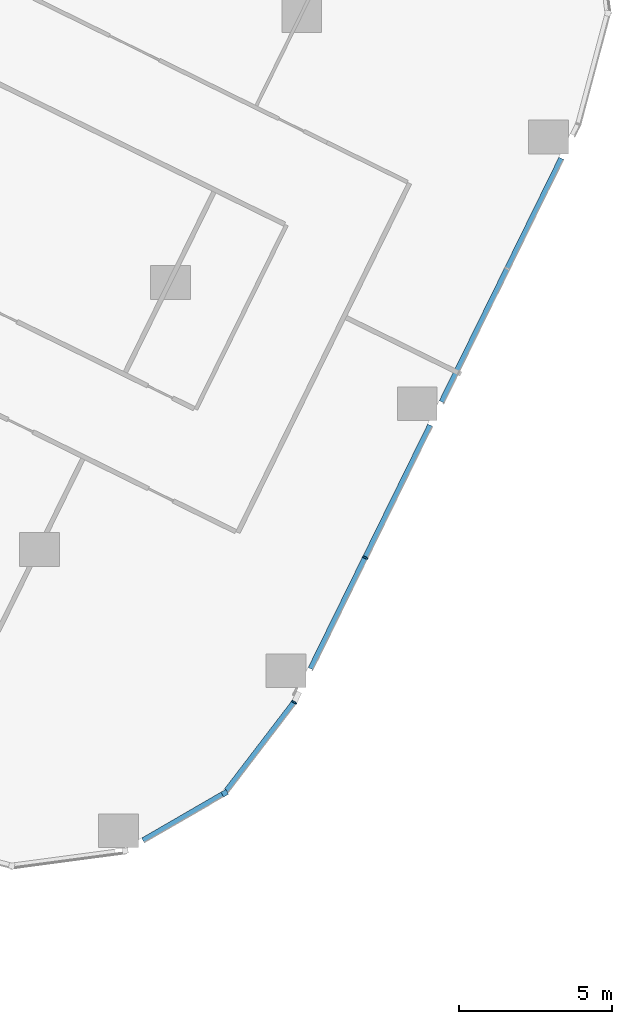
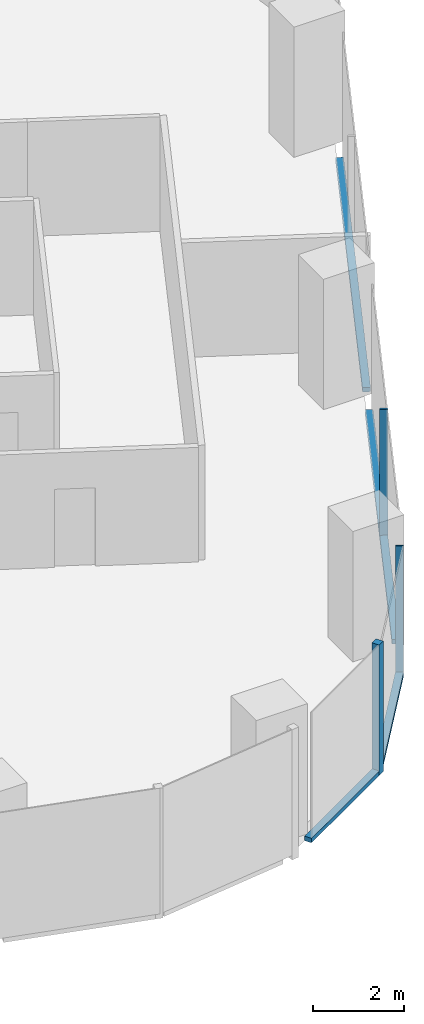
# One storey, part 10 of 38: 7 members, 3 elements without a shape of their own.
"""IFC4 building model written with IfcOpenShell, lengths in metres."""

import ifcopenshell
import ifcopenshell.guid

model = None  # the IFC model being written
_history = None  # IfcOwnerHistory: only IFC2X3 demands one
_inside = {}  # id of a spatial element -> (the spatial element, [elements in it])
_under = {}  # id of a project, library or spatial element -> (it, [spatial elements below it])
_declared = {}  # id of a project -> (the project, [libraries it declares])
_typed = {}  # id of a type object -> (the type object, [elements of that type])
_made_of = {}  # id of a material, layer set ... -> (it, [elements and type objects made of it])


def new_model(schema):
    """Start an empty IFC model of exactly this schema.

    Asked for "IFC4X3", IfcOpenShell would pick the latest addendum, in which some entities
    have other attributes; the version numbers below select the first issue.
    IFC2X3 requires an IfcOwnerHistory on every rooted entity: one is made here for all.
    """
    global model, _history
    if schema == "IFC4X3":
        model = ifcopenshell.file(schema_version=(4, 3, 0, 0))
    else:
        model = ifcopenshell.file(schema=schema)
    _inside.clear()
    _under.clear()
    _declared.clear()
    _typed.clear()
    _made_of.clear()
    _history = None
    if model.schema == "IFC2X3":
        org = make("IfcOrganization", Name="unknown")
        user = make(
            "IfcPersonAndOrganization",
            ThePerson=make("IfcPerson", FamilyName="unknown"),
            TheOrganization=org,
        )
        app = make(
            "IfcApplication",
            ApplicationDeveloper=org,
            Version="unknown",
            ApplicationFullName="unknown",
            ApplicationIdentifier="unknown",
        )
        _history = make(
            "IfcOwnerHistory",
            OwningUser=user,
            OwningApplication=app,
            ChangeAction="ADDED",
            CreationDate=0,
        )
    return model


def make(cls, **values):
    """One entity of the class cls with the attributes given. An attribute that is None is left unset."""
    return model.create_entity(
        cls, **{name: value for name, value in values.items() if value is not None}
    )


def rooted(cls, **values):
    """An entity with a GlobalId (a new one), such as an element, a storey or a relation."""
    return make(cls, GlobalId=ifcopenshell.guid.new(), OwnerHistory=_history, **values)


def si_unit(unit_type, name, prefix=None):
    """IfcSIUnit, for example si_unit("LENGTHUNIT", "METRE", prefix="MILLI")."""
    return make("IfcSIUnit", UnitType=unit_type, Prefix=prefix, Name=name)


def assignment(units):
    """IfcUnitAssignment: the units of a project."""
    return None if units is None else make("IfcUnitAssignment", Units=units)


def point(xyz):
    """IfcCartesianPoint."""
    return None if xyz is None else make("IfcCartesianPoint", Coordinates=xyz)


def direction(xyz):
    """IfcDirection."""
    return None if xyz is None else make("IfcDirection", DirectionRatios=xyz)


def frame(location, z_axis=None, x_axis=None):
    """IfcAxis2Placement3D, a coordinate frame: its origin and axes. An axis left out is left unset."""
    return make(
        "IfcAxis2Placement3D",
        Location=point(location),
        Axis=direction(z_axis),
        RefDirection=direction(x_axis),
    )


def frame_2d(location, x_axis=None):
    """IfcAxis2Placement2D, a coordinate frame in the plane: its origin and x axis."""
    return make(
        "IfcAxis2Placement2D", Location=point(location), RefDirection=direction(x_axis)
    )


def origin():
    """The frame at (0, 0, 0) with its axes left unset."""
    return frame((0.0, 0.0, 0.0))


def origin_2d():
    """The frame at (0, 0) in the plane with its x axis left unset."""
    return frame_2d((0.0, 0.0))


def place(relative_to, where):
    """IfcLocalPlacement: puts the frame where relative to a parent placement (None: the world)."""
    return make(
        "IfcLocalPlacement", PlacementRelTo=relative_to, RelativePlacement=where
    )


def context(
    kind, dimensions, precision=None, world=None, true_north=None, identifier=None
):
    """IfcGeometricRepresentationContext, for example the 3D "Model" context."""
    return make(
        "IfcGeometricRepresentationContext",
        ContextIdentifier=identifier,
        ContextType=kind,
        CoordinateSpaceDimension=dimensions,
        Precision=precision,
        WorldCoordinateSystem=world,
        TrueNorth=true_north,
    )


def subcontext(parent, identifier, kind, view, scale=None):
    """IfcGeometricRepresentationSubContext, for example "Body" below "Model"."""
    return make(
        "IfcGeometricRepresentationSubContext",
        ContextIdentifier=identifier,
        ContextType=kind,
        ParentContext=parent,
        TargetScale=scale,
        TargetView=view,
    )


def project(units=None, contexts=None):
    """IfcProject with its units and contexts."""
    return rooted(
        "IfcProject",
        Name="project",
        RepresentationContexts=contexts,
        UnitsInContext=assignment(units),
    )


def spatial(cls, under=None, at=None, **own):
    """A site, building, storey or space (cls), placed at a placement, below another one or the project."""
    s = rooted(cls, ObjectPlacement=at, **own)
    if under is not None:
        _under.setdefault(under.id(), (under, []))[1].append(s)
    return s


def profile(cls, at=None, kind="AREA", **sizes):
    """A parametric profile (cls). Its sizes go by their IFC names, for example OverallWidth=200.0."""
    return make(cls, ProfileType=kind, Position=at, **sizes)


def rectangle(**sizes):
    """IfcRectangleProfileDef."""
    return profile("IfcRectangleProfileDef", **sizes)


def extrude(swept, where, along, depth):
    """IfcExtrudedAreaSolid: the profile swept, set in the frame where, extruded along a direction by depth."""
    return make(
        "IfcExtrudedAreaSolid",
        SweptArea=swept,
        Position=where,
        ExtrudedDirection=direction(along),
        Depth=depth,
    )


def shape(context_of_items, identifier, shape_type, items):
    """IfcShapeRepresentation: the items that make up one representation, for example the "Body"."""
    return make(
        "IfcShapeRepresentation",
        ContextOfItems=context_of_items,
        RepresentationIdentifier=identifier,
        RepresentationType=shape_type,
        Items=items,
    )


def material(Name=None, Category=None):
    """IfcMaterial."""
    return make("IfcMaterial", Name=Name, Category=Category)


def material_profile(
    of_material, cross_section, Name=None, Category=None, Priority=None
):
    """IfcMaterialProfile: a cross section and its material."""
    return make(
        "IfcMaterialProfile",
        Name=Name,
        Material=of_material,
        Profile=cross_section,
        Priority=Priority,
        Category=Category,
    )


def profile_set(profiles, Name=None, composite=None):
    """IfcMaterialProfileSet."""
    return make(
        "IfcMaterialProfileSet",
        Name=Name,
        MaterialProfiles=profiles,
        CompositeProfile=composite,
    )


def made_of(thing, what):
    """Note that an element or type object is made of a material, layer set ...; save() writes the relation."""
    if what is not None:
        _made_of.setdefault(what.id(), (what, []))[1].append(thing)
    return thing


def type_object(cls, material=None, **own):
    """A type object (cls), such as IfcWallType, which elements share."""
    return made_of(rooted(cls, **own), material)


def element(
    cls,
    number,
    at=None,
    inside=None,
    cuts=None,
    type_object=None,
    material=None,
    context=None,
    identifier="Body",
    shape_type=None,
    held_by="IfcProductDefinitionShape",
    body=None,
    shapes=None,
    **own,
):
    """One element of the class cls, such as IfcWall. Its Tag is "e" and its number.

    at: its placement. inside: the storey or other place that contains it. cuts: it is an
    opening in that element (IfcRelVoidsElement). A single representation is given by context,
    identifier, shape_type and body (its items); several are given by shapes. held_by: the class
    of the entity that holds the representations. save() writes the other relations.
    """
    e = rooted(cls, Tag="e%d" % number, ObjectPlacement=at, **own)
    if body is not None:
        shapes = [shape(context, identifier, shape_type, body)]
    if shapes is not None:
        e.Representation = make(held_by, Representations=shapes)
    if inside is not None:
        _inside.setdefault(inside.id(), (inside, []))[1].append(e)
    if cuts is not None:
        rooted(
            "IfcRelVoidsElement", RelatingBuildingElement=cuts, RelatedOpeningElement=e
        )
    if type_object is not None:
        _typed.setdefault(type_object.id(), (type_object, []))[1].append(e)
    return made_of(e, material)


def aggregate(whole, parts):
    """IfcRelAggregates: a whole, such as a stair, and the parts it consists of."""
    return rooted("IfcRelAggregates", RelatingObject=whole, RelatedObjects=parts)


def save(model, path):
    """Write the relations noted so far, then the file.

    IfcRelAggregates (storeys below a building ...), IfcRelContainedInSpatialStructure (elements
    in a storey), IfcRelDefinesByType, IfcRelAssociatesMaterial and IfcRelDeclares: one each for
    every whole, place, type object, material and project.
    """
    for whole, parts in _under.values():
        aggregate(whole, parts)
    for where, things in _inside.values():
        rooted(
            "IfcRelContainedInSpatialStructure",
            RelatedElements=things,
            RelatingStructure=where,
        )
    for kind, things in _typed.values():
        rooted("IfcRelDefinesByType", RelatedObjects=things, RelatingType=kind)
    for what, things in _made_of.values():
        rooted("IfcRelAssociatesMaterial", RelatedObjects=things, RelatingMaterial=what)
    for by, libraries in _declared.values():
        rooted("IfcRelDeclares", RelatingContext=by, RelatedDefinitions=libraries)
    model.write(path)


model = new_model("IFC4")

# Units and contexts
model_context = context("Model", 3, precision=1e-05, world=origin(), true_north=direction((0.0, 1.0)))
body_context = subcontext(model_context, "Body", "Model", "MODEL_VIEW")
ifc_project = project(units=[si_unit("LENGTHUNIT", "METRE"), si_unit("AREAUNIT", "SQUARE_METRE"), si_unit("VOLUMEUNIT", "CUBIC_METRE"), si_unit("PLANEANGLEUNIT", "RADIAN"), si_unit("MASSUNIT", "GRAM", prefix="KILO")], contexts=[model_context])

# Site, building, storey
site_placement = place(None, origin())
site = spatial("IfcSite", under=ifc_project, at=site_placement, CompositionType="ELEMENT")
building_placement = place(site_placement, origin())
building = spatial("IfcBuilding", under=site, at=building_placement, Name="Orlundy Tower", CompositionType="ELEMENT")
storey_placement = place(building_placement, frame((0.0, 0.0, 65.800048828125)))
storey = spatial("IfcBuildingStorey", under=building, at=storey_placement, Name="L15", CompositionType="ELEMENT", Elevation=65.800048828125)

# Curtain wall, member
ifc_material_1 = material(Name="Aluminium bronze anodised", Category="aluminium")
curtain_wall_type = type_object("IfcCurtainWallType", Name="CW1 wall", PredefinedType="NOTDEFINED", material=ifc_material_1)
curtain_wall_1_placement = place(storey_placement, origin())
curtain_wall_1 = element("IfcCurtainWall", 1, at=curtain_wall_1_placement, inside=storey, type_object=curtain_wall_type, Name="CW1 run 025", PredefinedType="NOTDEFINED")
ifc_material_2 = material(Name="Aluminium bronze anodised", Category="aluminium")
ifc_material_profile_1 = material_profile(ifc_material_2, rectangle(XDim=0.179931640625, YDim=0.179931640625, at=origin_2d()), Name="CW1 corner post 180x180")
ifc_profile_set_1 = profile_set([ifc_material_profile_1], Name="Aluminium bronze anodised")
member_type_1 = type_object("IfcMemberType", Name="CW1 corner post 180x180", PredefinedType="MULLION", material=ifc_profile_set_1)
member_1_placement = place(storey_placement, frame((47.4775390625, -39.115966796875, -0.400146484375), z_axis=(0.0, 0.0, 1.0), x_axis=(0.501302135928, -0.865272308879, 0.0)))
member_1 = element("IfcMember", 2, at=member_1_placement, type_object=member_type_1, Name="CW1 mullion 66", PredefinedType="MULLION", context=body_context, shape_type="SweptSolid", body=[
    extrude(rectangle(XDim=0.179931640625, YDim=0.179931640625, at=origin_2d()), origin(), (0.0, 0.0, 1.0), 3.5),
])

curtain_wall_2_placement = place(storey_placement, origin())
curtain_wall_2 = element("IfcCurtainWall", 3, at=curtain_wall_2_placement, inside=storey, type_object=curtain_wall_type, Name="CW1 run 023", PredefinedType="NOTDEFINED")
ifc_material_3 = material(Name="Aluminium bronze anodised", Category="aluminium")
ifc_material_profile_2 = material_profile(ifc_material_3, rectangle(XDim=0.179931640625, YDim=0.050048828125, at=origin_2d()), Name="CW1 mullion 50x180")
ifc_profile_set_2 = profile_set([ifc_material_profile_2], Name="Aluminium bronze anodised")
member_type_2 = type_object("IfcMemberType", Name="CW1 mullion 50x180", PredefinedType="MULLION", material=ifc_profile_set_2)
member_2_placement = place(storey_placement, frame((52.06494140625, -31.430908203125, -0.400146484375), z_axis=(0.0, 0.0, 1.0), x_axis=(0.897501090883, -0.441012235503, 0.0)))
member_2 = element("IfcMember", 4, at=member_2_placement, type_object=member_type_2, Name="CW1 mullion 64", PredefinedType="MULLION", context=body_context, shape_type="SweptSolid", body=[
    extrude(rectangle(XDim=0.179931640625, YDim=0.050048828125, at=origin_2d()), origin(), (0.0, 0.0, 1.0), 3.5),
])

curtain_wall_3_placement = place(storey_placement, origin())
curtain_wall_3 = element("IfcCurtainWall", 5, at=curtain_wall_3_placement, inside=storey, type_object=curtain_wall_type, Name="CW1 run 024", PredefinedType="NOTDEFINED")
member_3_placement = place(storey_placement, frame((49.745849609375, -36.150634765625, -0.400146484375), z_axis=(0.0, 0.0, 1.0), x_axis=(0.849973121822, -0.526826054955, 0.0)))
member_3 = element("IfcMember", 6, at=member_3_placement, type_object=member_type_2, Name="CW1 mullion 65", PredefinedType="MULLION", context=body_context, shape_type="SweptSolid", body=[
    extrude(rectangle(XDim=0.179931640625, YDim=0.050048828125, at=origin_2d()), origin(), (0.0, 0.0, 1.0), 3.5),
])

# Member
ifc_material_4 = material(Name="Aluminium bronze anodised", Category="aluminium")
ifc_material_profile_3 = material_profile(ifc_material_4, rectangle(XDim=0.179931640625, YDim=0.1201171875, at=origin_2d()), Name="CW1 transom 180x120")
ifc_profile_set_3 = profile_set([ifc_material_profile_3], Name="Aluminium bronze anodised")
member_type_3 = type_object("IfcMemberType", Name="CW1 transom 180x120", PredefinedType="USERDEFINED", material=ifc_profile_set_3)
member_4_placement = place(storey_placement, frame((58.463623046875, -18.408935546875, -0.340087890625), z_axis=(-0.441000966712, -0.897506628031, 0.0), x_axis=(0.897506628031, -0.441000966712, 0.0)))
member_4 = element("IfcMember", 7, at=member_4_placement, type_object=member_type_3, Name="CW1 transom", ObjectType="TRANSOM", PredefinedType="USERDEFINED", context=body_context, shape_type="SweptSolid", body=[
    extrude(rectangle(XDim=0.179931640625, YDim=0.1201171875, at=origin_2d()), origin(), (0.0, 0.0, 1.0), 8.849365234375),
])

member_5_placement = place(storey_placement, frame((54.185791015625, -27.114990234375, -0.340087890625), z_axis=(-0.441021658791, -0.897496460426, 0.0), x_axis=(0.897496460426, -0.441021658791, 0.0)))
member_5 = element("IfcMember", 8, at=member_5_placement, type_object=member_type_3, Name="CW1 transom", ObjectType="TRANSOM", PredefinedType="USERDEFINED", context=body_context, shape_type="SweptSolid", body=[
    extrude(rectangle(XDim=0.179931640625, YDim=0.1201171875, at=origin_2d()), origin(), (0.0, 0.0, 1.0), 8.847412109375),
])

aggregate(curtain_wall_2, [member_2, member_4, member_5])

member_6_placement = place(storey_placement, frame((49.730712890625, -36.170654296875, -0.340087890625), z_axis=(-0.607578093597, -0.794259944968, 0.0), x_axis=(0.794259944968, -0.607578093597, 0.0)))
member_6 = element("IfcMember", 9, at=member_6_placement, type_object=member_type_3, Name="CW1 transom", ObjectType="TRANSOM", PredefinedType="USERDEFINED", context=body_context, shape_type="SweptSolid", body=[
    extrude(rectangle(XDim=0.179931640625, YDim=0.1201171875, at=origin_2d()), origin(), (0.0, 0.0, 1.0), 3.61083984375),
])

aggregate(curtain_wall_3, [member_3, member_6])

member_7_placement = place(storey_placement, frame((47.399658203125, -39.1611328125, -0.340087890625), z_axis=(-0.865284440007, -0.501281196417, 0.0), x_axis=(0.501281196417, -0.865284440007, 0.0)))
member_7 = element("IfcMember", 10, at=member_7_placement, type_object=member_type_3, Name="CW1 transom", ObjectType="TRANSOM", PredefinedType="USERDEFINED", context=body_context, shape_type="SweptSolid", body=[
    extrude(rectangle(XDim=0.179931640625, YDim=0.1201171875, at=origin_2d()), origin(), (0.0, 0.0, 1.0), 2.986083984375),
])

aggregate(curtain_wall_1, [member_1, member_7])

save(model, "model.ifc")
